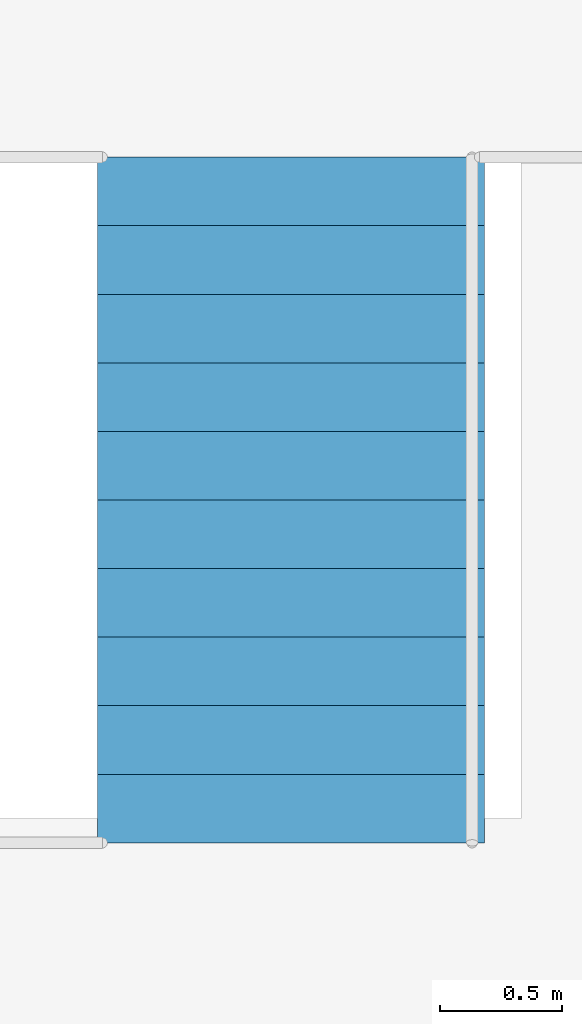
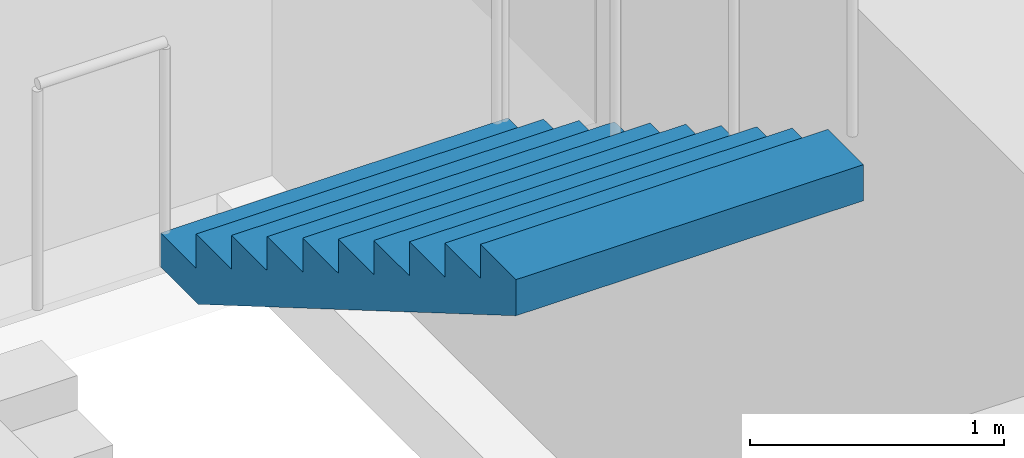
# One storey, part 10 of 11: 1 stair flight, 1 element without a shape of its own.
"""IFC4 building model written with IfcOpenShell, lengths in metres."""

from ifc_helpers import new_model, si_unit, direction, frame, origin, place, context, subcontext, project, spatial, polyline, outline, extrude, material, type_object, element, aggregate, save


model = new_model("IFC4")

# Units and contexts
model_context = context("Model", 3, precision=1e-05, world=origin(), true_north=direction((0.0, 1.0)))
body_context = subcontext(model_context, "Body", "Model", "MODEL_VIEW")
ifc_project = project(units=[si_unit("LENGTHUNIT", "METRE"), si_unit("AREAUNIT", "SQUARE_METRE"), si_unit("VOLUMEUNIT", "CUBIC_METRE"), si_unit("PLANEANGLEUNIT", "RADIAN"), si_unit("MASSUNIT", "GRAM", prefix="KILO")], contexts=[model_context])

# Site, building, storey
site_placement = place(None, origin())
site = spatial("IfcSite", under=ifc_project, at=site_placement, CompositionType="ELEMENT")
building_placement = place(site_placement, origin())
building = spatial("IfcBuilding", under=site, at=building_placement, Name="Pilkhan Gate Tower", CompositionType="ELEMENT")
storey_placement = place(building_placement, frame((0.0, 0.0, 172.89990234375)))
storey = spatial("IfcBuildingStorey", under=building, at=storey_placement, Name="L44", CompositionType="ELEMENT", Elevation=172.89990234375)

# Stair, stair flight
ifc_material = material(Name="Concrete C40/50 precast", Category="concrete")
stair_type = type_object("IfcStairType", Name="Stair ST4 164x280", PredefinedType="HALF_TURN_STAIR", material=ifc_material)
stair_placement = place(storey_placement, origin())
stair = element("IfcStair", 1, at=stair_placement, inside=storey, type_object=stair_type, Name="Stair ST4 L44", PredefinedType="HALF_TURN_STAIR")
stair_flight_type = type_object("IfcStairFlightType", Name="Stair flight ST4 164x280x11", PredefinedType="STRAIGHT", material=ifc_material)
stair_flight_placement = place(storey_placement, frame((87.81005859375, 90.199951171875, 1.800048828125), z_axis=(0.0, 0.0, 1.0), x_axis=(0.0, -1.0, 0.0)))
stair_flight = element("IfcStairFlight", 2, at=stair_flight_placement, type_object=stair_flight_type, Name="ST4 flight 2", NumberOfRisers=11, NumberOfTreads=10, PredefinedType="STRAIGHT", RiserHeight=0.163636364, TreadLength=0.28, context=body_context, shape_type="SweptSolid", body=[
    extrude(outline(polyline([(0.0, 0.0), (0.0, 0.16357421875), (0.280029296875, 0.16357421875), (0.280029296875, 0.327392578125), (0.56005859375, 0.327392578125), (0.56005859375, 0.490966796875), (0.840087890625, 0.490966796875), (0.840087890625, 0.654541015625), (1.1201171875, 0.654541015625), (1.1201171875, 0.818115234375), (1.39990234375, 0.818115234375), (1.39990234375, 0.98193359375), (1.679931640625, 0.98193359375), (1.679931640625, 1.1455078125), (1.9599609375, 1.1455078125), (1.9599609375, 1.30908203125), (2.239990234375, 1.30908203125), (2.239990234375, 1.47265625), (2.52001953125, 1.47265625), (2.52001953125, 1.636474609375), (2.800048828125, 1.636474609375), (2.800048828125, 1.800048828125), (2.800048828125, 1.462646484375), (0.297119140625, 0.0), (0.0, 0.0)])), frame((0.0, 0.7900390625, 0.0), z_axis=(0.0, -1.0, 0.0), x_axis=(1.0, 0.0, 0.0)), (0.0, 0.0, 1.0), 1.580078125),
])
aggregate(stair, [stair_flight])

save(model, "model.ifc")
